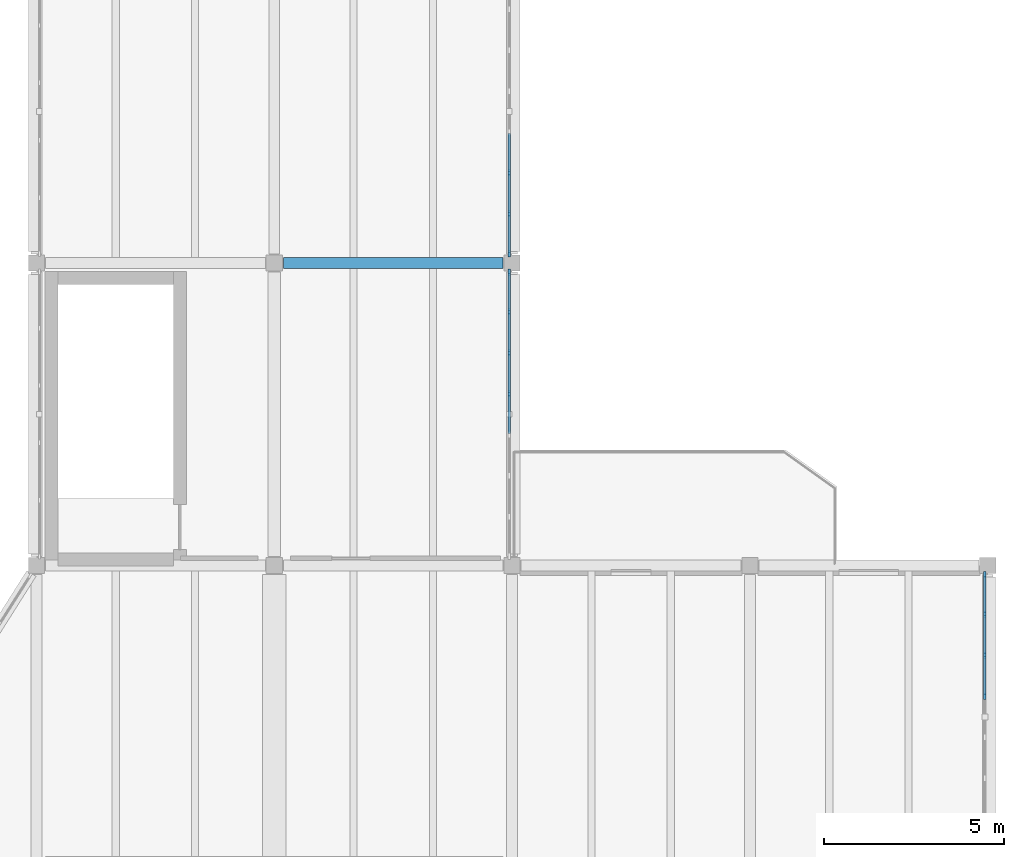
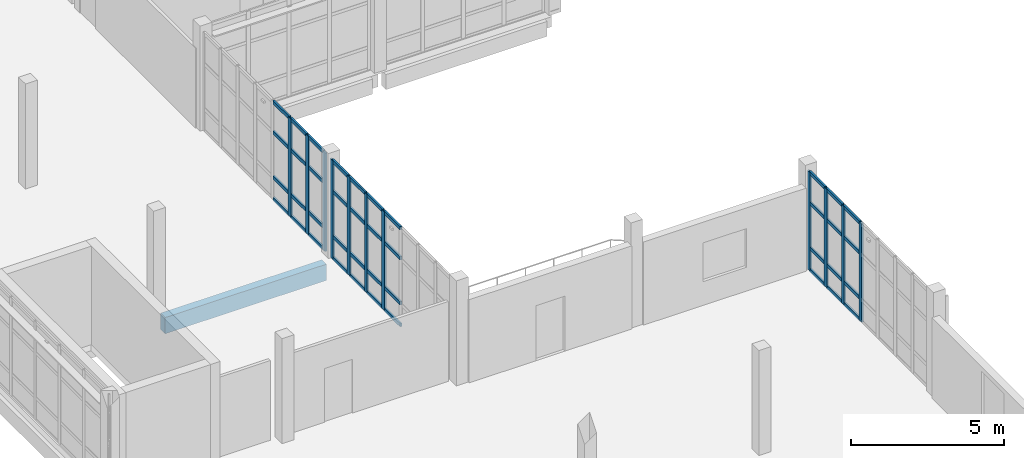
# One storey, part 27 of 74: 51 members, 1 beam, 3 elements without a shape of their own.
"""IFC4 building model written with IfcOpenShell, lengths in metres."""

import ifcopenshell
import ifcopenshell.guid

model = None  # the IFC model being written
_history = None  # IfcOwnerHistory: only IFC2X3 demands one
_inside = {}  # id of a spatial element -> (the spatial element, [elements in it])
_under = {}  # id of a project, library or spatial element -> (it, [spatial elements below it])
_declared = {}  # id of a project -> (the project, [libraries it declares])
_typed = {}  # id of a type object -> (the type object, [elements of that type])
_made_of = {}  # id of a material, layer set ... -> (it, [elements and type objects made of it])


def new_model(schema):
    """Start an empty IFC model of exactly this schema.

    Asked for "IFC4X3", IfcOpenShell would pick the latest addendum, in which some entities
    have other attributes; the version numbers below select the first issue.
    IFC2X3 requires an IfcOwnerHistory on every rooted entity: one is made here for all.
    """
    global model, _history
    if schema == "IFC4X3":
        model = ifcopenshell.file(schema_version=(4, 3, 0, 0))
    else:
        model = ifcopenshell.file(schema=schema)
    _inside.clear()
    _under.clear()
    _declared.clear()
    _typed.clear()
    _made_of.clear()
    _history = None
    if model.schema == "IFC2X3":
        org = make("IfcOrganization", Name="unknown")
        user = make(
            "IfcPersonAndOrganization",
            ThePerson=make("IfcPerson", FamilyName="unknown"),
            TheOrganization=org,
        )
        app = make(
            "IfcApplication",
            ApplicationDeveloper=org,
            Version="unknown",
            ApplicationFullName="unknown",
            ApplicationIdentifier="unknown",
        )
        _history = make(
            "IfcOwnerHistory",
            OwningUser=user,
            OwningApplication=app,
            ChangeAction="ADDED",
            CreationDate=0,
        )
    return model


def make(cls, **values):
    """One entity of the class cls with the attributes given. An attribute that is None is left unset."""
    return model.create_entity(
        cls, **{name: value for name, value in values.items() if value is not None}
    )


def rooted(cls, **values):
    """An entity with a GlobalId (a new one), such as an element, a storey or a relation."""
    return make(cls, GlobalId=ifcopenshell.guid.new(), OwnerHistory=_history, **values)


def si_unit(unit_type, name, prefix=None):
    """IfcSIUnit, for example si_unit("LENGTHUNIT", "METRE", prefix="MILLI")."""
    return make("IfcSIUnit", UnitType=unit_type, Prefix=prefix, Name=name)


def assignment(units):
    """IfcUnitAssignment: the units of a project."""
    return None if units is None else make("IfcUnitAssignment", Units=units)


def point(xyz):
    """IfcCartesianPoint."""
    return None if xyz is None else make("IfcCartesianPoint", Coordinates=xyz)


def direction(xyz):
    """IfcDirection."""
    return None if xyz is None else make("IfcDirection", DirectionRatios=xyz)


def frame(location, z_axis=None, x_axis=None):
    """IfcAxis2Placement3D, a coordinate frame: its origin and axes. An axis left out is left unset."""
    return make(
        "IfcAxis2Placement3D",
        Location=point(location),
        Axis=direction(z_axis),
        RefDirection=direction(x_axis),
    )


def frame_2d(location, x_axis=None):
    """IfcAxis2Placement2D, a coordinate frame in the plane: its origin and x axis."""
    return make(
        "IfcAxis2Placement2D", Location=point(location), RefDirection=direction(x_axis)
    )


def origin():
    """The frame at (0, 0, 0) with its axes left unset."""
    return frame((0.0, 0.0, 0.0))


def origin_2d():
    """The frame at (0, 0) in the plane with its x axis left unset."""
    return frame_2d((0.0, 0.0))


def place(relative_to, where):
    """IfcLocalPlacement: puts the frame where relative to a parent placement (None: the world)."""
    return make(
        "IfcLocalPlacement", PlacementRelTo=relative_to, RelativePlacement=where
    )


def context(
    kind, dimensions, precision=None, world=None, true_north=None, identifier=None
):
    """IfcGeometricRepresentationContext, for example the 3D "Model" context."""
    return make(
        "IfcGeometricRepresentationContext",
        ContextIdentifier=identifier,
        ContextType=kind,
        CoordinateSpaceDimension=dimensions,
        Precision=precision,
        WorldCoordinateSystem=world,
        TrueNorth=true_north,
    )


def subcontext(parent, identifier, kind, view, scale=None):
    """IfcGeometricRepresentationSubContext, for example "Body" below "Model"."""
    return make(
        "IfcGeometricRepresentationSubContext",
        ContextIdentifier=identifier,
        ContextType=kind,
        ParentContext=parent,
        TargetScale=scale,
        TargetView=view,
    )


def project(units=None, contexts=None):
    """IfcProject with its units and contexts."""
    return rooted(
        "IfcProject",
        Name="project",
        RepresentationContexts=contexts,
        UnitsInContext=assignment(units),
    )


def spatial(cls, under=None, at=None, **own):
    """A site, building, storey or space (cls), placed at a placement, below another one or the project."""
    s = rooted(cls, ObjectPlacement=at, **own)
    if under is not None:
        _under.setdefault(under.id(), (under, []))[1].append(s)
    return s


def profile(cls, at=None, kind="AREA", **sizes):
    """A parametric profile (cls). Its sizes go by their IFC names, for example OverallWidth=200.0."""
    return make(cls, ProfileType=kind, Position=at, **sizes)


def rectangle(**sizes):
    """IfcRectangleProfileDef."""
    return profile("IfcRectangleProfileDef", **sizes)


def extrude(swept, where, along, depth):
    """IfcExtrudedAreaSolid: the profile swept, set in the frame where, extruded along a direction by depth."""
    return make(
        "IfcExtrudedAreaSolid",
        SweptArea=swept,
        Position=where,
        ExtrudedDirection=direction(along),
        Depth=depth,
    )


def shape(context_of_items, identifier, shape_type, items):
    """IfcShapeRepresentation: the items that make up one representation, for example the "Body"."""
    return make(
        "IfcShapeRepresentation",
        ContextOfItems=context_of_items,
        RepresentationIdentifier=identifier,
        RepresentationType=shape_type,
        Items=items,
    )


def material(Name=None, Category=None):
    """IfcMaterial."""
    return make("IfcMaterial", Name=Name, Category=Category)


def material_profile(
    of_material, cross_section, Name=None, Category=None, Priority=None
):
    """IfcMaterialProfile: a cross section and its material."""
    return make(
        "IfcMaterialProfile",
        Name=Name,
        Material=of_material,
        Profile=cross_section,
        Priority=Priority,
        Category=Category,
    )


def profile_set(profiles, Name=None, composite=None):
    """IfcMaterialProfileSet."""
    return make(
        "IfcMaterialProfileSet",
        Name=Name,
        MaterialProfiles=profiles,
        CompositeProfile=composite,
    )


def made_of(thing, what):
    """Note that an element or type object is made of a material, layer set ...; save() writes the relation."""
    if what is not None:
        _made_of.setdefault(what.id(), (what, []))[1].append(thing)
    return thing


def type_object(cls, material=None, **own):
    """A type object (cls), such as IfcWallType, which elements share."""
    return made_of(rooted(cls, **own), material)


def element(
    cls,
    number,
    at=None,
    inside=None,
    cuts=None,
    type_object=None,
    material=None,
    context=None,
    identifier="Body",
    shape_type=None,
    held_by="IfcProductDefinitionShape",
    body=None,
    shapes=None,
    **own,
):
    """One element of the class cls, such as IfcWall. Its Tag is "e" and its number.

    at: its placement. inside: the storey or other place that contains it. cuts: it is an
    opening in that element (IfcRelVoidsElement). A single representation is given by context,
    identifier, shape_type and body (its items); several are given by shapes. held_by: the class
    of the entity that holds the representations. save() writes the other relations.
    """
    e = rooted(cls, Tag="e%d" % number, ObjectPlacement=at, **own)
    if body is not None:
        shapes = [shape(context, identifier, shape_type, body)]
    if shapes is not None:
        e.Representation = make(held_by, Representations=shapes)
    if inside is not None:
        _inside.setdefault(inside.id(), (inside, []))[1].append(e)
    if cuts is not None:
        rooted(
            "IfcRelVoidsElement", RelatingBuildingElement=cuts, RelatedOpeningElement=e
        )
    if type_object is not None:
        _typed.setdefault(type_object.id(), (type_object, []))[1].append(e)
    return made_of(e, material)


def aggregate(whole, parts):
    """IfcRelAggregates: a whole, such as a stair, and the parts it consists of."""
    return rooted("IfcRelAggregates", RelatingObject=whole, RelatedObjects=parts)


def save(model, path):
    """Write the relations noted so far, then the file.

    IfcRelAggregates (storeys below a building ...), IfcRelContainedInSpatialStructure (elements
    in a storey), IfcRelDefinesByType, IfcRelAssociatesMaterial and IfcRelDeclares: one each for
    every whole, place, type object, material and project.
    """
    for whole, parts in _under.values():
        aggregate(whole, parts)
    for where, things in _inside.values():
        rooted(
            "IfcRelContainedInSpatialStructure",
            RelatedElements=things,
            RelatingStructure=where,
        )
    for kind, things in _typed.values():
        rooted("IfcRelDefinesByType", RelatedObjects=things, RelatingType=kind)
    for what, things in _made_of.values():
        rooted("IfcRelAssociatesMaterial", RelatedObjects=things, RelatingMaterial=what)
    for by, libraries in _declared.values():
        rooted("IfcRelDeclares", RelatingContext=by, RelatedDefinitions=libraries)
    model.write(path)


model = new_model("IFC4")

# Units and contexts
model_context = context("Model", 3, precision=1e-05, world=origin(), true_north=direction((0.0, 1.0)))
body_context = subcontext(model_context, "Body", "Model", "MODEL_VIEW")
ifc_project = project(units=[si_unit("LENGTHUNIT", "METRE"), si_unit("AREAUNIT", "SQUARE_METRE"), si_unit("VOLUMEUNIT", "CUBIC_METRE"), si_unit("PLANEANGLEUNIT", "RADIAN"), si_unit("MASSUNIT", "GRAM", prefix="KILO")], contexts=[model_context])

# Site, building, storey
site_placement = place(None, origin())
site = spatial("IfcSite", under=ifc_project, at=site_placement, CompositionType="ELEMENT")
building_placement = place(site_placement, origin())
building = spatial("IfcBuilding", under=site, at=building_placement, Name="Qaldarim Faculty of Natural and Applied Sciences", CompositionType="ELEMENT")
storey_placement = place(building_placement, frame((0.0, 0.0, 14.39990234375)))
storey = spatial("IfcBuildingStorey", under=building, at=storey_placement, Name="L03", CompositionType="ELEMENT", Elevation=14.39990234375)

# Curtain wall, members
ifc_material_1 = material(Name="Anodised aluminium AW-6063", Category="aluminium")
curtain_wall_type = type_object("IfcCurtainWallType", Name="CurtainWallSystem-M1200", PredefinedType="USERDEFINED", material=ifc_material_1)
curtain_wall_1_placement = place(storey_placement, origin())
curtain_wall_1 = element("IfcCurtainWall", 1, at=curtain_wall_1_placement, inside=storey, type_object=curtain_wall_type, Name="Curtain wall CW-L03-E-X25Y11", ObjectType="STICK CURTAIN WALL", PredefinedType="USERDEFINED")
ifc_material_profile_1 = material_profile(ifc_material_1, rectangle(XDim=0.070068359375, YDim=0.179931640625, at=origin_2d()), Name="ALU-M70x180")
ifc_profile_set_1 = profile_set([ifc_material_profile_1], Name="Anodised aluminium AW-6063")
member_type_1 = type_object("IfcMemberType", Name="Mullion-ALU70x180", PredefinedType="MULLION", material=ifc_profile_set_1)
member_1_placement = place(storey_placement, frame((164.919921875, 88.7685546875, 0.0), z_axis=(0.0, 0.0, 1.0), x_axis=(-1.0, 0.0, 0.0)))
member_1 = element("IfcMember", 2, at=member_1_placement, type_object=member_type_1, Name="Mullion 5 of CW-L03-E-X25Y11", PredefinedType="MULLION", context=body_context, shape_type="SweptSolid", body=[
    extrude(rectangle(XDim=0.070068359375, YDim=0.179931640625, at=origin_2d()), origin(), (0.0, 0.0, 1.0), 3.940185546875),
])
member_2_placement = place(storey_placement, frame((164.919921875, 89.90576171875, 0.0), z_axis=(0.0, 0.0, 1.0), x_axis=(-1.0, 0.0, 0.0)))
member_2 = element("IfcMember", 3, at=member_2_placement, type_object=member_type_1, Name="Mullion 6 of CW-L03-E-X25Y11", PredefinedType="MULLION", context=body_context, shape_type="SweptSolid", body=[
    extrude(rectangle(XDim=0.070068359375, YDim=0.179931640625, at=origin_2d()), origin(), (0.0, 0.0, 1.0), 3.940185546875),
])
member_3_placement = place(storey_placement, frame((164.919921875, 91.04296875, 0.0), z_axis=(0.0, 0.0, 1.0), x_axis=(-1.0, 0.0, 0.0)))
member_3 = element("IfcMember", 4, at=member_3_placement, type_object=member_type_1, Name="Mullion 7 of CW-L03-E-X25Y11", PredefinedType="MULLION", context=body_context, shape_type="SweptSolid", body=[
    extrude(rectangle(XDim=0.070068359375, YDim=0.179931640625, at=origin_2d()), origin(), (0.0, 0.0, 1.0), 3.940185546875),
])
member_4_placement = place(storey_placement, frame((164.919921875, 92.14501953125, 0.0), z_axis=(0.0, 0.0, 1.0), x_axis=(-1.0, 0.0, 0.0)))
member_4 = element("IfcMember", 5, at=member_4_placement, type_object=member_type_1, Name="Mullion 8 of CW-L03-E-X25Y11", PredefinedType="MULLION", context=body_context, shape_type="SweptSolid", body=[
    extrude(rectangle(XDim=0.070068359375, YDim=0.179931640625, at=origin_2d()), origin(), (0.0, 0.0, 1.0), 3.940185546875),
])

curtain_wall_2_placement = place(storey_placement, origin())
curtain_wall_2 = element("IfcCurtainWall", 6, at=curtain_wall_2_placement, inside=storey, type_object=curtain_wall_type, Name="Curtain wall CW-L03-E-X25Y12", ObjectType="STICK CURTAIN WALL", PredefinedType="USERDEFINED")
member_5_placement = place(storey_placement, frame((164.919921875, 92.655029296875, 0.0), z_axis=(0.0, 0.0, 1.0), x_axis=(-1.0, 0.0, 0.0)))
member_5 = element("IfcMember", 7, at=member_5_placement, type_object=member_type_1, Name="Mullion 1 of CW-L03-E-X25Y12", PredefinedType="MULLION", context=body_context, shape_type="SweptSolid", body=[
    extrude(rectangle(XDim=0.070068359375, YDim=0.179931640625, at=origin_2d()), origin(), (0.0, 0.0, 1.0), 3.940185546875),
])
member_6_placement = place(storey_placement, frame((164.919921875, 93.757080078125, 0.0), z_axis=(0.0, 0.0, 1.0), x_axis=(-1.0, 0.0, 0.0)))
member_6 = element("IfcMember", 8, at=member_6_placement, type_object=member_type_1, Name="Mullion 2 of CW-L03-E-X25Y12", PredefinedType="MULLION", context=body_context, shape_type="SweptSolid", body=[
    extrude(rectangle(XDim=0.070068359375, YDim=0.179931640625, at=origin_2d()), origin(), (0.0, 0.0, 1.0), 3.940185546875),
])
member_7_placement = place(storey_placement, frame((164.919921875, 94.894287109375, 0.0), z_axis=(0.0, 0.0, 1.0), x_axis=(-1.0, 0.0, 0.0)))
member_7 = element("IfcMember", 9, at=member_7_placement, type_object=member_type_1, Name="Mullion 3 of CW-L03-E-X25Y12", PredefinedType="MULLION", context=body_context, shape_type="SweptSolid", body=[
    extrude(rectangle(XDim=0.070068359375, YDim=0.179931640625, at=origin_2d()), origin(), (0.0, 0.0, 1.0), 3.940185546875),
])

curtain_wall_3_placement = place(storey_placement, origin())
curtain_wall_3 = element("IfcCurtainWall", 10, at=curtain_wall_3_placement, inside=storey, type_object=curtain_wall_type, Name="Curtain wall CW-L03-E-X27Y10", ObjectType="STICK CURTAIN WALL", PredefinedType="USERDEFINED")
member_8_placement = place(storey_placement, frame((178.1201171875, 80.36865234375, 0.0), z_axis=(0.0, 0.0, 1.0), x_axis=(-1.0, 0.0, 0.0)))
member_8 = element("IfcMember", 11, at=member_8_placement, type_object=member_type_1, Name="Mullion 5 of CW-L03-E-X27Y10", PredefinedType="MULLION", context=body_context, shape_type="SweptSolid", body=[
    extrude(rectangle(XDim=0.070068359375, YDim=0.179931640625, at=origin_2d()), origin(), (0.0, 0.0, 1.0), 3.940185546875),
])
member_9_placement = place(storey_placement, frame((178.1201171875, 81.505615234375, 0.0), z_axis=(0.0, 0.0, 1.0), x_axis=(-1.0, 0.0, 0.0)))
member_9 = element("IfcMember", 12, at=member_9_placement, type_object=member_type_1, Name="Mullion 6 of CW-L03-E-X27Y10", PredefinedType="MULLION", context=body_context, shape_type="SweptSolid", body=[
    extrude(rectangle(XDim=0.070068359375, YDim=0.179931640625, at=origin_2d()), origin(), (0.0, 0.0, 1.0), 3.940185546875),
])
member_10_placement = place(storey_placement, frame((178.1201171875, 82.642822265625, 0.0), z_axis=(0.0, 0.0, 1.0), x_axis=(-1.0, 0.0, 0.0)))
member_10 = element("IfcMember", 13, at=member_10_placement, type_object=member_type_1, Name="Mullion 7 of CW-L03-E-X27Y10", PredefinedType="MULLION", context=body_context, shape_type="SweptSolid", body=[
    extrude(rectangle(XDim=0.070068359375, YDim=0.179931640625, at=origin_2d()), origin(), (0.0, 0.0, 1.0), 3.940185546875),
])
member_11_placement = place(storey_placement, frame((178.1201171875, 83.7451171875, 0.0), z_axis=(0.0, 0.0, 1.0), x_axis=(-1.0, 0.0, 0.0)))
member_11 = element("IfcMember", 14, at=member_11_placement, type_object=member_type_1, Name="Mullion 8 of CW-L03-E-X27Y10", PredefinedType="MULLION", context=body_context, shape_type="SweptSolid", body=[
    extrude(rectangle(XDim=0.070068359375, YDim=0.179931640625, at=origin_2d()), origin(), (0.0, 0.0, 1.0), 3.940185546875),
])

# Beam
ifc_material_2 = material(Name="Concrete C40/50", Category="concrete")
ifc_material_profile_2 = material_profile(ifc_material_2, rectangle(XDim=0.300048828125, YDim=0.64990234375, at=origin_2d()), Name="RC-B300x650")
ifc_profile_set_2 = profile_set([ifc_material_profile_2], Name="Concrete C40/50")
beam_type = type_object("IfcBeamType", Name="PrimaryBeam-RC300x650", PredefinedType="BEAM", material=ifc_profile_set_2)
beam_placement = place(storey_placement, frame((158.64990234375, 92.39990234375, -0.5849609375), z_axis=(1.0, 0.0, 0.0), x_axis=(0.0, 1.0, 0.0)))
element("IfcBeam", 15, at=beam_placement, inside=storey, type_object=beam_type, Name="Beam RC-B300x650 L02 X25-X26/Y12", PredefinedType="BEAM", context=body_context, shape_type="SweptSolid", body=[
    extrude(rectangle(XDim=0.300048828125, YDim=0.64990234375, at=origin_2d()), origin(), (0.0, 0.0, 1.0), 6.10009765625),
])

# Member
ifc_material_profile_3 = material_profile(ifc_material_1, rectangle(XDim=0.070068359375, YDim=0.139892578125, at=origin_2d()), Name="ALU-T70x140")
ifc_profile_set_3 = profile_set([ifc_material_profile_3], Name="Anodised aluminium AW-6063")
member_type_2 = type_object("IfcMemberType", Name="Transom-ALU70x140", PredefinedType="USERDEFINED", material=ifc_profile_set_3)
member_12_placement = place(storey_placement, frame((164.919921875, 87.66650390625, 0.03515625), z_axis=(0.0, 1.0, 0.0), x_axis=(-1.0, 0.0, 0.0)))
member_12 = element("IfcMember", 16, at=member_12_placement, type_object=member_type_2, Name="Transom 4-1 of CW-L03-E-X25Y11", ObjectType="TRANSOM", PredefinedType="USERDEFINED", context=body_context, shape_type="SweptSolid", body=[
    extrude(rectangle(XDim=0.070068359375, YDim=0.139892578125, at=origin_2d()), origin(), (0.0, 0.0, 1.0), 1.067138671875),
])

member_13_placement = place(storey_placement, frame((164.919921875, 87.66650390625, 0.900146484375), z_axis=(0.0, 1.0, 0.0), x_axis=(-1.0, 0.0, 0.0)))
member_13 = element("IfcMember", 17, at=member_13_placement, type_object=member_type_2, Name="Transom 4-2 of CW-L03-E-X25Y11", ObjectType="TRANSOM", PredefinedType="USERDEFINED", context=body_context, shape_type="SweptSolid", body=[
    extrude(rectangle(XDim=0.070068359375, YDim=0.139892578125, at=origin_2d()), origin(), (0.0, 0.0, 1.0), 1.067138671875),
])

member_14_placement = place(storey_placement, frame((164.919921875, 87.66650390625, 2.7001953125), z_axis=(0.0, 1.0, 0.0), x_axis=(-1.0, 0.0, 0.0)))
member_14 = element("IfcMember", 18, at=member_14_placement, type_object=member_type_2, Name="Transom 4-3 of CW-L03-E-X25Y11", ObjectType="TRANSOM", PredefinedType="USERDEFINED", context=body_context, shape_type="SweptSolid", body=[
    extrude(rectangle(XDim=0.070068359375, YDim=0.139892578125, at=origin_2d()), origin(), (0.0, 0.0, 1.0), 1.067138671875),
])

member_15_placement = place(storey_placement, frame((164.919921875, 87.66650390625, 3.905029296875), z_axis=(0.0, 1.0, 0.0), x_axis=(-1.0, 0.0, 0.0)))
member_15 = element("IfcMember", 19, at=member_15_placement, type_object=member_type_2, Name="Transom 4-4 of CW-L03-E-X25Y11", ObjectType="TRANSOM", PredefinedType="USERDEFINED", context=body_context, shape_type="SweptSolid", body=[
    extrude(rectangle(XDim=0.070068359375, YDim=0.139892578125, at=origin_2d()), origin(), (0.0, 0.0, 1.0), 1.067138671875),
])

member_16_placement = place(storey_placement, frame((164.919921875, 88.8037109375, 0.03515625), z_axis=(0.0, 1.0, 0.0), x_axis=(-1.0, 0.0, 0.0)))
member_16 = element("IfcMember", 20, at=member_16_placement, type_object=member_type_2, Name="Transom 5-1 of CW-L03-E-X25Y11", ObjectType="TRANSOM", PredefinedType="USERDEFINED", context=body_context, shape_type="SweptSolid", body=[
    extrude(rectangle(XDim=0.070068359375, YDim=0.139892578125, at=origin_2d()), origin(), (0.0, 0.0, 1.0), 1.06689453125),
])

member_17_placement = place(storey_placement, frame((164.919921875, 88.8037109375, 0.900146484375), z_axis=(0.0, 1.0, 0.0), x_axis=(-1.0, 0.0, 0.0)))
member_17 = element("IfcMember", 21, at=member_17_placement, type_object=member_type_2, Name="Transom 5-2 of CW-L03-E-X25Y11", ObjectType="TRANSOM", PredefinedType="USERDEFINED", context=body_context, shape_type="SweptSolid", body=[
    extrude(rectangle(XDim=0.070068359375, YDim=0.139892578125, at=origin_2d()), origin(), (0.0, 0.0, 1.0), 1.06689453125),
])

member_18_placement = place(storey_placement, frame((164.919921875, 88.8037109375, 2.7001953125), z_axis=(0.0, 1.0, 0.0), x_axis=(-1.0, 0.0, 0.0)))
member_18 = element("IfcMember", 22, at=member_18_placement, type_object=member_type_2, Name="Transom 5-3 of CW-L03-E-X25Y11", ObjectType="TRANSOM", PredefinedType="USERDEFINED", context=body_context, shape_type="SweptSolid", body=[
    extrude(rectangle(XDim=0.070068359375, YDim=0.139892578125, at=origin_2d()), origin(), (0.0, 0.0, 1.0), 1.06689453125),
])

member_19_placement = place(storey_placement, frame((164.919921875, 88.8037109375, 3.905029296875), z_axis=(0.0, 1.0, 0.0), x_axis=(-1.0, 0.0, 0.0)))
member_19 = element("IfcMember", 23, at=member_19_placement, type_object=member_type_2, Name="Transom 5-4 of CW-L03-E-X25Y11", ObjectType="TRANSOM", PredefinedType="USERDEFINED", context=body_context, shape_type="SweptSolid", body=[
    extrude(rectangle(XDim=0.070068359375, YDim=0.139892578125, at=origin_2d()), origin(), (0.0, 0.0, 1.0), 1.06689453125),
])

member_20_placement = place(storey_placement, frame((164.919921875, 89.940673828125, 0.03515625), z_axis=(0.0, 1.0, 0.0), x_axis=(-1.0, 0.0, 0.0)))
member_20 = element("IfcMember", 24, at=member_20_placement, type_object=member_type_2, Name="Transom 6-1 of CW-L03-E-X25Y11", ObjectType="TRANSOM", PredefinedType="USERDEFINED", context=body_context, shape_type="SweptSolid", body=[
    extrude(rectangle(XDim=0.070068359375, YDim=0.139892578125, at=origin_2d()), origin(), (0.0, 0.0, 1.0), 1.067138671875),
])

member_21_placement = place(storey_placement, frame((164.919921875, 89.940673828125, 0.900146484375), z_axis=(0.0, 1.0, 0.0), x_axis=(-1.0, 0.0, 0.0)))
member_21 = element("IfcMember", 25, at=member_21_placement, type_object=member_type_2, Name="Transom 6-2 of CW-L03-E-X25Y11", ObjectType="TRANSOM", PredefinedType="USERDEFINED", context=body_context, shape_type="SweptSolid", body=[
    extrude(rectangle(XDim=0.070068359375, YDim=0.139892578125, at=origin_2d()), origin(), (0.0, 0.0, 1.0), 1.067138671875),
])

member_22_placement = place(storey_placement, frame((164.919921875, 89.940673828125, 2.7001953125), z_axis=(0.0, 1.0, 0.0), x_axis=(-1.0, 0.0, 0.0)))
member_22 = element("IfcMember", 26, at=member_22_placement, type_object=member_type_2, Name="Transom 6-3 of CW-L03-E-X25Y11", ObjectType="TRANSOM", PredefinedType="USERDEFINED", context=body_context, shape_type="SweptSolid", body=[
    extrude(rectangle(XDim=0.070068359375, YDim=0.139892578125, at=origin_2d()), origin(), (0.0, 0.0, 1.0), 1.067138671875),
])

member_23_placement = place(storey_placement, frame((164.919921875, 89.940673828125, 3.905029296875), z_axis=(0.0, 1.0, 0.0), x_axis=(-1.0, 0.0, 0.0)))
member_23 = element("IfcMember", 27, at=member_23_placement, type_object=member_type_2, Name="Transom 6-4 of CW-L03-E-X25Y11", ObjectType="TRANSOM", PredefinedType="USERDEFINED", context=body_context, shape_type="SweptSolid", body=[
    extrude(rectangle(XDim=0.070068359375, YDim=0.139892578125, at=origin_2d()), origin(), (0.0, 0.0, 1.0), 1.067138671875),
])

member_24_placement = place(storey_placement, frame((164.919921875, 91.077880859375, 0.03515625), z_axis=(0.0, 1.0, 0.0), x_axis=(-1.0, 0.0, 0.0)))
member_24 = element("IfcMember", 28, at=member_24_placement, type_object=member_type_2, Name="Transom 7-1 of CW-L03-E-X25Y11", ObjectType="TRANSOM", PredefinedType="USERDEFINED", context=body_context, shape_type="SweptSolid", body=[
    extrude(rectangle(XDim=0.070068359375, YDim=0.139892578125, at=origin_2d()), origin(), (0.0, 0.0, 1.0), 1.0322265625),
])

member_25_placement = place(storey_placement, frame((164.919921875, 91.077880859375, 0.900146484375), z_axis=(0.0, 1.0, 0.0), x_axis=(-1.0, 0.0, 0.0)))
member_25 = element("IfcMember", 29, at=member_25_placement, type_object=member_type_2, Name="Transom 7-2 of CW-L03-E-X25Y11", ObjectType="TRANSOM", PredefinedType="USERDEFINED", context=body_context, shape_type="SweptSolid", body=[
    extrude(rectangle(XDim=0.070068359375, YDim=0.139892578125, at=origin_2d()), origin(), (0.0, 0.0, 1.0), 1.0322265625),
])

member_26_placement = place(storey_placement, frame((164.919921875, 91.077880859375, 2.7001953125), z_axis=(0.0, 1.0, 0.0), x_axis=(-1.0, 0.0, 0.0)))
member_26 = element("IfcMember", 30, at=member_26_placement, type_object=member_type_2, Name="Transom 7-3 of CW-L03-E-X25Y11", ObjectType="TRANSOM", PredefinedType="USERDEFINED", context=body_context, shape_type="SweptSolid", body=[
    extrude(rectangle(XDim=0.070068359375, YDim=0.139892578125, at=origin_2d()), origin(), (0.0, 0.0, 1.0), 1.0322265625),
])

member_27_placement = place(storey_placement, frame((164.919921875, 91.077880859375, 3.905029296875), z_axis=(0.0, 1.0, 0.0), x_axis=(-1.0, 0.0, 0.0)))
member_27 = element("IfcMember", 31, at=member_27_placement, type_object=member_type_2, Name="Transom 7-4 of CW-L03-E-X25Y11", ObjectType="TRANSOM", PredefinedType="USERDEFINED", context=body_context, shape_type="SweptSolid", body=[
    extrude(rectangle(XDim=0.070068359375, YDim=0.139892578125, at=origin_2d()), origin(), (0.0, 0.0, 1.0), 1.0322265625),
])

aggregate(curtain_wall_1, [member_1, member_2, member_3, member_4, member_12, member_13, member_14, member_15, member_16, member_17, member_18, member_19, member_20, member_21, member_22, member_23, member_24, member_25, member_26, member_27])

member_28_placement = place(storey_placement, frame((164.919921875, 92.68994140625, 0.03515625), z_axis=(0.0, 1.0, 0.0), x_axis=(-1.0, 0.0, 0.0)))
member_28 = element("IfcMember", 32, at=member_28_placement, type_object=member_type_2, Name="Transom 1-1 of CW-L03-E-X25Y12", ObjectType="TRANSOM", PredefinedType="USERDEFINED", context=body_context, shape_type="SweptSolid", body=[
    extrude(rectangle(XDim=0.070068359375, YDim=0.139892578125, at=origin_2d()), origin(), (0.0, 0.0, 1.0), 1.0322265625),
])

member_29_placement = place(storey_placement, frame((164.919921875, 92.68994140625, 0.900146484375), z_axis=(0.0, 1.0, 0.0), x_axis=(-1.0, 0.0, 0.0)))
member_29 = element("IfcMember", 33, at=member_29_placement, type_object=member_type_2, Name="Transom 1-2 of CW-L03-E-X25Y12", ObjectType="TRANSOM", PredefinedType="USERDEFINED", context=body_context, shape_type="SweptSolid", body=[
    extrude(rectangle(XDim=0.070068359375, YDim=0.139892578125, at=origin_2d()), origin(), (0.0, 0.0, 1.0), 1.0322265625),
])

member_30_placement = place(storey_placement, frame((164.919921875, 92.68994140625, 2.7001953125), z_axis=(0.0, 1.0, 0.0), x_axis=(-1.0, 0.0, 0.0)))
member_30 = element("IfcMember", 34, at=member_30_placement, type_object=member_type_2, Name="Transom 1-3 of CW-L03-E-X25Y12", ObjectType="TRANSOM", PredefinedType="USERDEFINED", context=body_context, shape_type="SweptSolid", body=[
    extrude(rectangle(XDim=0.070068359375, YDim=0.139892578125, at=origin_2d()), origin(), (0.0, 0.0, 1.0), 1.0322265625),
])

member_31_placement = place(storey_placement, frame((164.919921875, 92.68994140625, 3.905029296875), z_axis=(0.0, 1.0, 0.0), x_axis=(-1.0, 0.0, 0.0)))
member_31 = element("IfcMember", 35, at=member_31_placement, type_object=member_type_2, Name="Transom 1-4 of CW-L03-E-X25Y12", ObjectType="TRANSOM", PredefinedType="USERDEFINED", context=body_context, shape_type="SweptSolid", body=[
    extrude(rectangle(XDim=0.070068359375, YDim=0.139892578125, at=origin_2d()), origin(), (0.0, 0.0, 1.0), 1.0322265625),
])

member_32_placement = place(storey_placement, frame((164.919921875, 93.7919921875, 0.03515625), z_axis=(0.0, 1.0, 0.0), x_axis=(-1.0, 0.0, 0.0)))
member_32 = element("IfcMember", 36, at=member_32_placement, type_object=member_type_2, Name="Transom 2-1 of CW-L03-E-X25Y12", ObjectType="TRANSOM", PredefinedType="USERDEFINED", context=body_context, shape_type="SweptSolid", body=[
    extrude(rectangle(XDim=0.070068359375, YDim=0.139892578125, at=origin_2d()), origin(), (0.0, 0.0, 1.0), 1.0673828125),
])

member_33_placement = place(storey_placement, frame((164.919921875, 93.7919921875, 0.900146484375), z_axis=(0.0, 1.0, 0.0), x_axis=(-1.0, 0.0, 0.0)))
member_33 = element("IfcMember", 37, at=member_33_placement, type_object=member_type_2, Name="Transom 2-2 of CW-L03-E-X25Y12", ObjectType="TRANSOM", PredefinedType="USERDEFINED", context=body_context, shape_type="SweptSolid", body=[
    extrude(rectangle(XDim=0.070068359375, YDim=0.139892578125, at=origin_2d()), origin(), (0.0, 0.0, 1.0), 1.0673828125),
])

member_34_placement = place(storey_placement, frame((164.919921875, 93.7919921875, 2.7001953125), z_axis=(0.0, 1.0, 0.0), x_axis=(-1.0, 0.0, 0.0)))
member_34 = element("IfcMember", 38, at=member_34_placement, type_object=member_type_2, Name="Transom 2-3 of CW-L03-E-X25Y12", ObjectType="TRANSOM", PredefinedType="USERDEFINED", context=body_context, shape_type="SweptSolid", body=[
    extrude(rectangle(XDim=0.070068359375, YDim=0.139892578125, at=origin_2d()), origin(), (0.0, 0.0, 1.0), 1.0673828125),
])

member_35_placement = place(storey_placement, frame((164.919921875, 93.7919921875, 3.905029296875), z_axis=(0.0, 1.0, 0.0), x_axis=(-1.0, 0.0, 0.0)))
member_35 = element("IfcMember", 39, at=member_35_placement, type_object=member_type_2, Name="Transom 2-4 of CW-L03-E-X25Y12", ObjectType="TRANSOM", PredefinedType="USERDEFINED", context=body_context, shape_type="SweptSolid", body=[
    extrude(rectangle(XDim=0.070068359375, YDim=0.139892578125, at=origin_2d()), origin(), (0.0, 0.0, 1.0), 1.0673828125),
])

member_36_placement = place(storey_placement, frame((164.919921875, 94.92919921875, 0.03515625), z_axis=(0.0, 1.0, 0.0), x_axis=(-1.0, 0.0, 0.0)))
member_36 = element("IfcMember", 40, at=member_36_placement, type_object=member_type_2, Name="Transom 3-1 of CW-L03-E-X25Y12", ObjectType="TRANSOM", PredefinedType="USERDEFINED", context=body_context, shape_type="SweptSolid", body=[
    extrude(rectangle(XDim=0.070068359375, YDim=0.139892578125, at=origin_2d()), origin(), (0.0, 0.0, 1.0), 1.067138671875),
])

member_37_placement = place(storey_placement, frame((164.919921875, 94.92919921875, 0.900146484375), z_axis=(0.0, 1.0, 0.0), x_axis=(-1.0, 0.0, 0.0)))
member_37 = element("IfcMember", 41, at=member_37_placement, type_object=member_type_2, Name="Transom 3-2 of CW-L03-E-X25Y12", ObjectType="TRANSOM", PredefinedType="USERDEFINED", context=body_context, shape_type="SweptSolid", body=[
    extrude(rectangle(XDim=0.070068359375, YDim=0.139892578125, at=origin_2d()), origin(), (0.0, 0.0, 1.0), 1.067138671875),
])

member_38_placement = place(storey_placement, frame((164.919921875, 94.92919921875, 2.7001953125), z_axis=(0.0, 1.0, 0.0), x_axis=(-1.0, 0.0, 0.0)))
member_38 = element("IfcMember", 42, at=member_38_placement, type_object=member_type_2, Name="Transom 3-3 of CW-L03-E-X25Y12", ObjectType="TRANSOM", PredefinedType="USERDEFINED", context=body_context, shape_type="SweptSolid", body=[
    extrude(rectangle(XDim=0.070068359375, YDim=0.139892578125, at=origin_2d()), origin(), (0.0, 0.0, 1.0), 1.067138671875),
])

member_39_placement = place(storey_placement, frame((164.919921875, 94.92919921875, 3.905029296875), z_axis=(0.0, 1.0, 0.0), x_axis=(-1.0, 0.0, 0.0)))
member_39 = element("IfcMember", 43, at=member_39_placement, type_object=member_type_2, Name="Transom 3-4 of CW-L03-E-X25Y12", ObjectType="TRANSOM", PredefinedType="USERDEFINED", context=body_context, shape_type="SweptSolid", body=[
    extrude(rectangle(XDim=0.070068359375, YDim=0.139892578125, at=origin_2d()), origin(), (0.0, 0.0, 1.0), 1.067138671875),
])

aggregate(curtain_wall_2, [member_5, member_6, member_7, member_28, member_29, member_30, member_31, member_32, member_33, member_34, member_35, member_36, member_37, member_38, member_39])

member_40_placement = place(storey_placement, frame((178.1201171875, 80.403564453125, 0.03515625), z_axis=(0.0, 1.0, 0.0), x_axis=(-1.0, 0.0, 0.0)))
member_40 = element("IfcMember", 44, at=member_40_placement, type_object=member_type_2, Name="Transom 5-1 of CW-L03-E-X27Y10", ObjectType="TRANSOM", PredefinedType="USERDEFINED", context=body_context, shape_type="SweptSolid", body=[
    extrude(rectangle(XDim=0.070068359375, YDim=0.139892578125, at=origin_2d()), origin(), (0.0, 0.0, 1.0), 1.067138671875),
])

member_41_placement = place(storey_placement, frame((178.1201171875, 80.403564453125, 0.900146484375), z_axis=(0.0, 1.0, 0.0), x_axis=(-1.0, 0.0, 0.0)))
member_41 = element("IfcMember", 45, at=member_41_placement, type_object=member_type_2, Name="Transom 5-2 of CW-L03-E-X27Y10", ObjectType="TRANSOM", PredefinedType="USERDEFINED", context=body_context, shape_type="SweptSolid", body=[
    extrude(rectangle(XDim=0.070068359375, YDim=0.139892578125, at=origin_2d()), origin(), (0.0, 0.0, 1.0), 1.067138671875),
])

member_42_placement = place(storey_placement, frame((178.1201171875, 80.403564453125, 2.7001953125), z_axis=(0.0, 1.0, 0.0), x_axis=(-1.0, 0.0, 0.0)))
member_42 = element("IfcMember", 46, at=member_42_placement, type_object=member_type_2, Name="Transom 5-3 of CW-L03-E-X27Y10", ObjectType="TRANSOM", PredefinedType="USERDEFINED", context=body_context, shape_type="SweptSolid", body=[
    extrude(rectangle(XDim=0.070068359375, YDim=0.139892578125, at=origin_2d()), origin(), (0.0, 0.0, 1.0), 1.067138671875),
])

member_43_placement = place(storey_placement, frame((178.1201171875, 80.403564453125, 3.905029296875), z_axis=(0.0, 1.0, 0.0), x_axis=(-1.0, 0.0, 0.0)))
member_43 = element("IfcMember", 47, at=member_43_placement, type_object=member_type_2, Name="Transom 5-4 of CW-L03-E-X27Y10", ObjectType="TRANSOM", PredefinedType="USERDEFINED", context=body_context, shape_type="SweptSolid", body=[
    extrude(rectangle(XDim=0.070068359375, YDim=0.139892578125, at=origin_2d()), origin(), (0.0, 0.0, 1.0), 1.067138671875),
])

member_44_placement = place(storey_placement, frame((178.1201171875, 81.540771484375, 0.03515625), z_axis=(0.0, 1.0, 0.0), x_axis=(-1.0, 0.0, 0.0)))
member_44 = element("IfcMember", 48, at=member_44_placement, type_object=member_type_2, Name="Transom 6-1 of CW-L03-E-X27Y10", ObjectType="TRANSOM", PredefinedType="USERDEFINED", context=body_context, shape_type="SweptSolid", body=[
    extrude(rectangle(XDim=0.070068359375, YDim=0.139892578125, at=origin_2d()), origin(), (0.0, 0.0, 1.0), 1.067138671875),
])

member_45_placement = place(storey_placement, frame((178.1201171875, 81.540771484375, 0.900146484375), z_axis=(0.0, 1.0, 0.0), x_axis=(-1.0, 0.0, 0.0)))
member_45 = element("IfcMember", 49, at=member_45_placement, type_object=member_type_2, Name="Transom 6-2 of CW-L03-E-X27Y10", ObjectType="TRANSOM", PredefinedType="USERDEFINED", context=body_context, shape_type="SweptSolid", body=[
    extrude(rectangle(XDim=0.070068359375, YDim=0.139892578125, at=origin_2d()), origin(), (0.0, 0.0, 1.0), 1.067138671875),
])

member_46_placement = place(storey_placement, frame((178.1201171875, 81.540771484375, 2.7001953125), z_axis=(0.0, 1.0, 0.0), x_axis=(-1.0, 0.0, 0.0)))
member_46 = element("IfcMember", 50, at=member_46_placement, type_object=member_type_2, Name="Transom 6-3 of CW-L03-E-X27Y10", ObjectType="TRANSOM", PredefinedType="USERDEFINED", context=body_context, shape_type="SweptSolid", body=[
    extrude(rectangle(XDim=0.070068359375, YDim=0.139892578125, at=origin_2d()), origin(), (0.0, 0.0, 1.0), 1.067138671875),
])

member_47_placement = place(storey_placement, frame((178.1201171875, 81.540771484375, 3.905029296875), z_axis=(0.0, 1.0, 0.0), x_axis=(-1.0, 0.0, 0.0)))
member_47 = element("IfcMember", 51, at=member_47_placement, type_object=member_type_2, Name="Transom 6-4 of CW-L03-E-X27Y10", ObjectType="TRANSOM", PredefinedType="USERDEFINED", context=body_context, shape_type="SweptSolid", body=[
    extrude(rectangle(XDim=0.070068359375, YDim=0.139892578125, at=origin_2d()), origin(), (0.0, 0.0, 1.0), 1.067138671875),
])

member_48_placement = place(storey_placement, frame((178.1201171875, 82.677978515625, 0.03515625), z_axis=(0.0, 1.0, 0.0), x_axis=(-1.0, 0.0, 0.0)))
member_48 = element("IfcMember", 52, at=member_48_placement, type_object=member_type_2, Name="Transom 7-1 of CW-L03-E-X27Y10", ObjectType="TRANSOM", PredefinedType="USERDEFINED", context=body_context, shape_type="SweptSolid", body=[
    extrude(rectangle(XDim=0.070068359375, YDim=0.139892578125, at=origin_2d()), origin(), (0.0, 0.0, 1.0), 1.031982421875),
])

member_49_placement = place(storey_placement, frame((178.1201171875, 82.677978515625, 0.900146484375), z_axis=(0.0, 1.0, 0.0), x_axis=(-1.0, 0.0, 0.0)))
member_49 = element("IfcMember", 53, at=member_49_placement, type_object=member_type_2, Name="Transom 7-2 of CW-L03-E-X27Y10", ObjectType="TRANSOM", PredefinedType="USERDEFINED", context=body_context, shape_type="SweptSolid", body=[
    extrude(rectangle(XDim=0.070068359375, YDim=0.139892578125, at=origin_2d()), origin(), (0.0, 0.0, 1.0), 1.031982421875),
])

member_50_placement = place(storey_placement, frame((178.1201171875, 82.677978515625, 2.7001953125), z_axis=(0.0, 1.0, 0.0), x_axis=(-1.0, 0.0, 0.0)))
member_50 = element("IfcMember", 54, at=member_50_placement, type_object=member_type_2, Name="Transom 7-3 of CW-L03-E-X27Y10", ObjectType="TRANSOM", PredefinedType="USERDEFINED", context=body_context, shape_type="SweptSolid", body=[
    extrude(rectangle(XDim=0.070068359375, YDim=0.139892578125, at=origin_2d()), origin(), (0.0, 0.0, 1.0), 1.031982421875),
])

member_51_placement = place(storey_placement, frame((178.1201171875, 82.677978515625, 3.905029296875), z_axis=(0.0, 1.0, 0.0), x_axis=(-1.0, 0.0, 0.0)))
member_51 = element("IfcMember", 55, at=member_51_placement, type_object=member_type_2, Name="Transom 7-4 of CW-L03-E-X27Y10", ObjectType="TRANSOM", PredefinedType="USERDEFINED", context=body_context, shape_type="SweptSolid", body=[
    extrude(rectangle(XDim=0.070068359375, YDim=0.139892578125, at=origin_2d()), origin(), (0.0, 0.0, 1.0), 1.031982421875),
])

aggregate(curtain_wall_3, [member_8, member_9, member_10, member_11, member_40, member_41, member_42, member_43, member_44, member_45, member_46, member_47, member_48, member_49, member_50, member_51])

save(model, "model.ifc")
